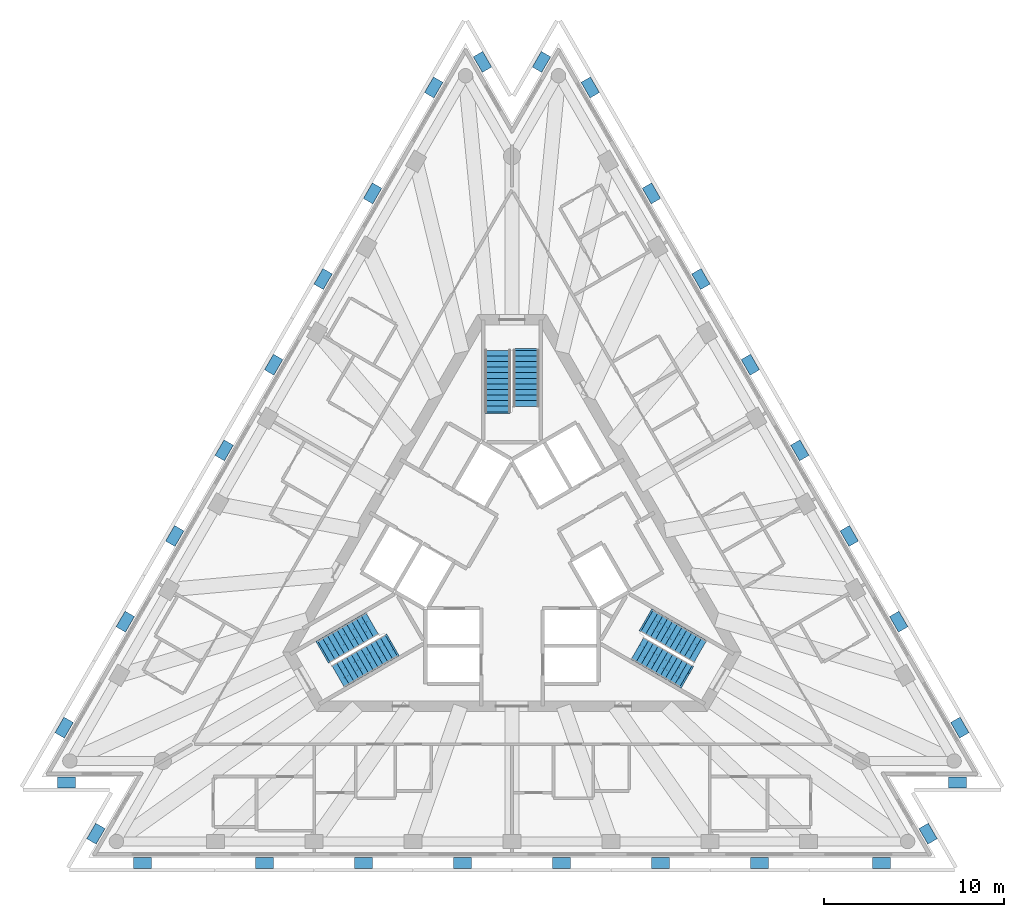
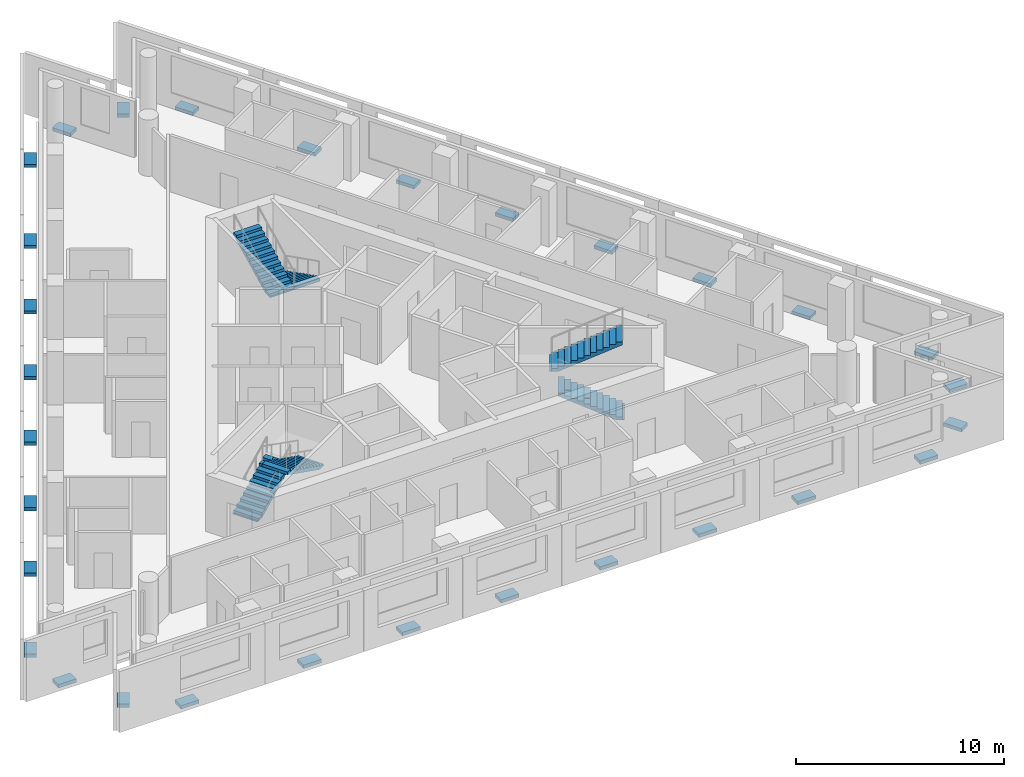
# One storey, part 8 of 9: 30 discrete accessories, 6 stair flights, 3 elements without a shape of their own.
"""IFC4 building model written with IfcOpenShell, lengths in metres."""

from ifc_helpers import new_model, si_unit, direction, frame, origin, origin_2d, place, context, subcontext, project, spatial, polyline, rectangle, outline, extrude, material, type_object, element, aggregate, save


model = new_model("IFC4")

# Units and contexts
model_context = context("Model", 3, precision=1e-05, world=origin(), true_north=direction((0.0, 1.0)))
body_context = subcontext(model_context, "Body", "Model", "MODEL_VIEW")
ifc_project = project(units=[si_unit("LENGTHUNIT", "METRE"), si_unit("AREAUNIT", "SQUARE_METRE"), si_unit("VOLUMEUNIT", "CUBIC_METRE"), si_unit("PLANEANGLEUNIT", "RADIAN"), si_unit("MASSUNIT", "GRAM", prefix="KILO")], contexts=[model_context])

# Site, building, storey
site_placement = place(None, origin())
site = spatial("IfcSite", under=ifc_project, at=site_placement, CompositionType="ELEMENT")
building_placement = place(site_placement, origin())
building = spatial("IfcBuilding", under=site, at=building_placement, Name="Triada Interchange Tower", CompositionType="ELEMENT")
storey_placement = place(building_placement, frame((0.0, 0.0, 279.10009765625)))
storey = spatial("IfcBuildingStorey", under=building, at=storey_placement, Name="L65", CompositionType="ELEMENT", Elevation=279.10009765625)

# Stair, stair flights
ifc_material_1 = material(Name="Concrete C35/45", Category="concrete")
stair_type = type_object("IfcStairType", Name="HALF TURN STAIR 1400", PredefinedType="HALF_TURN_STAIR", material=ifc_material_1)
stair_1_placement = place(storey_placement, origin())
stair_1 = element("IfcStair", 1, at=stair_1_placement, inside=storey, type_object=stair_type, Name="Exit stair S65-1", PredefinedType="HALF_TURN_STAIR")
stair_flight_type = type_object("IfcStairFlightType", Name="STRAIGHT STAIR FLIGHT 1400", PredefinedType="STRAIGHT", material=ifc_material_1)
stair_flight_1_placement = place(storey_placement, frame((0.800048828125, 11.60009765625, 0.0), z_axis=(0.0, 0.0, 1.0), x_axis=(0.0, -1.0, 0.0)))
stair_flight_1 = element("IfcStairFlight", 2, at=stair_flight_1_placement, type_object=stair_flight_type, Name="S65-1 flight 1", NumberOfRisers=11, NumberOfTreads=10, PredefinedType="STRAIGHT", RiserHeight=0.15652, TreadLength=0.31, context=body_context, shape_type="SweptSolid", body=[
    extrude(outline(polyline([(-0.10009765625, 0.0), (-0.10009765625, 0.02001953125), (0.0, 0.02001953125), (0.0, 0.156494140625), (0.31005859375, 0.156494140625), (0.31005859375, 0.31298828125), (0.6201171875, 0.31298828125), (0.6201171875, 0.469482421875), (0.929931640625, 0.469482421875), (0.929931640625, 0.6259765625), (1.239990234375, 0.6259765625), (1.239990234375, 0.78271484375), (1.550048828125, 0.78271484375), (1.550048828125, 0.939208984375), (1.860107421875, 0.939208984375), (1.860107421875, 1.095703125), (2.169921875, 1.095703125), (2.169921875, 1.252197265625), (2.47998046875, 1.252197265625), (2.47998046875, 1.40869140625), (2.7900390625, 1.40869140625), (2.7900390625, 1.565185546875), (3.10009765625, 1.565185546875), (3.10400390625, 1.565185546875), (3.10400390625, 1.7216796875), (3.10400390625, 1.397216796875), (0.33251953125, 0.0), (-0.10009765625, 0.0)])), frame((0.0, 0.699951171875, 0.0), z_axis=(0.0, -1.0, 0.0), x_axis=(1.0, 0.0, 0.0)), (0.0, 0.0, 1.0), 0.46533203125),
    extrude(outline(polyline([(-0.10009765625, 0.0), (-0.10009765625, 0.02001953125), (0.0, 0.02001953125), (0.0, 0.156494140625), (0.31005859375, 0.156494140625), (0.31005859375, 0.31298828125), (0.6201171875, 0.31298828125), (0.6201171875, 0.469482421875), (0.929931640625, 0.469482421875), (0.929931640625, 0.6259765625), (1.239990234375, 0.6259765625), (1.239990234375, 0.78271484375), (1.550048828125, 0.78271484375), (1.550048828125, 0.939208984375), (1.860107421875, 0.939208984375), (1.860107421875, 1.095703125), (2.169921875, 1.095703125), (2.169921875, 1.252197265625), (2.47998046875, 1.252197265625), (2.47998046875, 1.40869140625), (2.7900390625, 1.40869140625), (2.7900390625, 1.565185546875), (3.10009765625, 1.565185546875), (3.10400390625, 1.565185546875), (3.10400390625, 1.7216796875), (3.10400390625, 1.397216796875), (0.33251953125, 0.0), (-0.10009765625, 0.0)])), frame((0.0, 0.232666015625, 0.0), z_axis=(0.0, -1.0, 0.0), x_axis=(1.0, 0.0, 0.0)), (0.0, 0.0, 1.0), 0.46533203125),
    extrude(outline(polyline([(-0.10009765625, 0.0), (-0.10009765625, 0.02001953125), (0.0, 0.02001953125), (0.0, 0.156494140625), (0.31005859375, 0.156494140625), (0.31005859375, 0.31298828125), (0.6201171875, 0.31298828125), (0.6201171875, 0.469482421875), (0.929931640625, 0.469482421875), (0.929931640625, 0.6259765625), (1.239990234375, 0.6259765625), (1.239990234375, 0.78271484375), (1.550048828125, 0.78271484375), (1.550048828125, 0.939208984375), (1.860107421875, 0.939208984375), (1.860107421875, 1.095703125), (2.169921875, 1.095703125), (2.169921875, 1.252197265625), (2.47998046875, 1.252197265625), (2.47998046875, 1.40869140625), (2.7900390625, 1.40869140625), (2.7900390625, 1.565185546875), (3.10009765625, 1.565185546875), (3.10400390625, 1.565185546875), (3.10400390625, 1.7216796875), (3.10400390625, 1.397216796875), (0.33251953125, 0.0), (-0.10009765625, 0.0)])), frame((0.0, -0.234619140625, 0.0), z_axis=(0.0, -1.0, 0.0), x_axis=(1.0, 0.0, 0.0)), (0.0, 0.0, 1.0), 0.46533203125),
])
stair_flight_2_placement = place(storey_placement, frame((-0.800048828125, 8.18994140625, 1.7216796875), z_axis=(0.0, 0.0, 1.0), x_axis=(0.0, 1.0, 0.0)))
stair_flight_2 = element("IfcStairFlight", 3, at=stair_flight_2_placement, type_object=stair_flight_type, Name="S65-1 flight 2", NumberOfRisers=12, NumberOfTreads=11, PredefinedType="STRAIGHT", RiserHeight=0.15652, TreadLength=0.31, context=body_context, shape_type="SweptSolid", body=[
    extrude(outline(polyline([(-0.10009765625, 0.0), (-0.10009765625, 0.02001953125), (0.0, 0.02001953125), (0.0, 0.156494140625), (0.31005859375, 0.156494140625), (0.31005859375, 0.31298828125), (0.6201171875, 0.31298828125), (0.6201171875, 0.469482421875), (0.929931640625, 0.469482421875), (0.929931640625, 0.6259765625), (1.239990234375, 0.6259765625), (1.239990234375, 0.78271484375), (1.550048828125, 0.78271484375), (1.550048828125, 0.939208984375), (1.860107421875, 0.939208984375), (1.860107421875, 1.095703125), (2.169921875, 1.095703125), (2.169921875, 1.252197265625), (2.47998046875, 1.252197265625), (2.47998046875, 1.40869140625), (2.7900390625, 1.40869140625), (2.7900390625, 1.565185546875), (3.10009765625, 1.565185546875), (3.10009765625, 1.7216796875), (3.409912109375, 1.7216796875), (3.4140625, 1.7216796875), (3.4140625, 1.878173828125), (3.4140625, 1.5537109375), (0.33251953125, 0.0), (-0.10009765625, 0.0)])), frame((0.0, 0.699951171875, 0.0), z_axis=(0.0, -1.0, 0.0), x_axis=(1.0, 0.0, 0.0)), (0.0, 0.0, 1.0), 0.46533203125),
    extrude(outline(polyline([(-0.10009765625, 0.0), (-0.10009765625, 0.02001953125), (0.0, 0.02001953125), (0.0, 0.156494140625), (0.31005859375, 0.156494140625), (0.31005859375, 0.31298828125), (0.6201171875, 0.31298828125), (0.6201171875, 0.469482421875), (0.929931640625, 0.469482421875), (0.929931640625, 0.6259765625), (1.239990234375, 0.6259765625), (1.239990234375, 0.78271484375), (1.550048828125, 0.78271484375), (1.550048828125, 0.939208984375), (1.860107421875, 0.939208984375), (1.860107421875, 1.095703125), (2.169921875, 1.095703125), (2.169921875, 1.252197265625), (2.47998046875, 1.252197265625), (2.47998046875, 1.40869140625), (2.7900390625, 1.40869140625), (2.7900390625, 1.565185546875), (3.10009765625, 1.565185546875), (3.10009765625, 1.7216796875), (3.409912109375, 1.7216796875), (3.4140625, 1.7216796875), (3.4140625, 1.878173828125), (3.4140625, 1.5537109375), (0.33251953125, 0.0), (-0.10009765625, 0.0)])), frame((0.0, 0.232666015625, 0.0), z_axis=(0.0, -1.0, 0.0), x_axis=(1.0, 0.0, 0.0)), (0.0, 0.0, 1.0), 0.46533203125),
    extrude(outline(polyline([(-0.10009765625, 0.0), (-0.10009765625, 0.02001953125), (0.0, 0.02001953125), (0.0, 0.156494140625), (0.31005859375, 0.156494140625), (0.31005859375, 0.31298828125), (0.6201171875, 0.31298828125), (0.6201171875, 0.469482421875), (0.929931640625, 0.469482421875), (0.929931640625, 0.6259765625), (1.239990234375, 0.6259765625), (1.239990234375, 0.78271484375), (1.550048828125, 0.78271484375), (1.550048828125, 0.939208984375), (1.860107421875, 0.939208984375), (1.860107421875, 1.095703125), (2.169921875, 1.095703125), (2.169921875, 1.252197265625), (2.47998046875, 1.252197265625), (2.47998046875, 1.40869140625), (2.7900390625, 1.40869140625), (2.7900390625, 1.565185546875), (3.10009765625, 1.565185546875), (3.10009765625, 1.7216796875), (3.409912109375, 1.7216796875), (3.4140625, 1.7216796875), (3.4140625, 1.878173828125), (3.4140625, 1.5537109375), (0.33251953125, 0.0), (-0.10009765625, 0.0)])), frame((0.0, -0.234619140625, 0.0), z_axis=(0.0, -1.0, 0.0), x_axis=(1.0, 0.0, 0.0)), (0.0, 0.0, 1.0), 0.46533203125),
])
aggregate(stair_1, [stair_flight_1, stair_flight_2])

stair_2_placement = place(storey_placement, origin())
stair_2 = element("IfcStair", 4, at=stair_2_placement, inside=storey, type_object=stair_type, Name="Exit stair S65-2", PredefinedType="HALF_TURN_STAIR")
stair_flight_3_placement = place(storey_placement, frame((-10.446044921875, -5.10693359375, 0.0), z_axis=(0.0, 0.0, 1.0), x_axis=(0.866025403784, 0.5, 0.0)))
stair_flight_3 = element("IfcStairFlight", 5, at=stair_flight_3_placement, type_object=stair_flight_type, Name="S65-2 flight 1", NumberOfRisers=11, NumberOfTreads=10, PredefinedType="STRAIGHT", RiserHeight=0.15652, TreadLength=0.31, context=body_context, shape_type="SweptSolid", body=[
    extrude(outline(polyline([(-0.10009765625, 0.0), (-0.10009765625, 0.02001953125), (0.0, 0.02001953125), (0.0, 0.156494140625), (0.31005859375, 0.156494140625), (0.31005859375, 0.31298828125), (0.6201171875, 0.31298828125), (0.6201171875, 0.469482421875), (0.929931640625, 0.469482421875), (0.929931640625, 0.6259765625), (1.239990234375, 0.6259765625), (1.239990234375, 0.78271484375), (1.550048828125, 0.78271484375), (1.550048828125, 0.939208984375), (1.860107421875, 0.939208984375), (1.860107421875, 1.095703125), (2.169921875, 1.095703125), (2.169921875, 1.252197265625), (2.47998046875, 1.252197265625), (2.47998046875, 1.40869140625), (2.7900390625, 1.40869140625), (2.7900390625, 1.565185546875), (3.10009765625, 1.565185546875), (3.10400390625, 1.565185546875), (3.10400390625, 1.7216796875), (3.10400390625, 1.397216796875), (0.33251953125, 0.0), (-0.10009765625, 0.0)])), frame((0.0, 0.699951171875, 0.0), z_axis=(0.0, -1.0, 0.0), x_axis=(1.0, 0.0, 0.0)), (0.0, 0.0, 1.0), 0.46533203125),
    extrude(outline(polyline([(-0.10009765625, 0.0), (-0.10009765625, 0.02001953125), (0.0, 0.02001953125), (0.0, 0.156494140625), (0.31005859375, 0.156494140625), (0.31005859375, 0.31298828125), (0.6201171875, 0.31298828125), (0.6201171875, 0.469482421875), (0.929931640625, 0.469482421875), (0.929931640625, 0.6259765625), (1.239990234375, 0.6259765625), (1.239990234375, 0.78271484375), (1.550048828125, 0.78271484375), (1.550048828125, 0.939208984375), (1.860107421875, 0.939208984375), (1.860107421875, 1.095703125), (2.169921875, 1.095703125), (2.169921875, 1.252197265625), (2.47998046875, 1.252197265625), (2.47998046875, 1.40869140625), (2.7900390625, 1.40869140625), (2.7900390625, 1.565185546875), (3.10009765625, 1.565185546875), (3.10400390625, 1.565185546875), (3.10400390625, 1.7216796875), (3.10400390625, 1.397216796875), (0.33251953125, 0.0), (-0.10009765625, 0.0)])), frame((0.0, 0.232666015625, 0.0), z_axis=(0.0, -1.0, 0.0), x_axis=(1.0, 0.0, 0.0)), (0.0, 0.0, 1.0), 0.46533203125),
    extrude(outline(polyline([(-0.10009765625, 0.0), (-0.10009765625, 0.02001953125), (0.0, 0.02001953125), (0.0, 0.156494140625), (0.31005859375, 0.156494140625), (0.31005859375, 0.31298828125), (0.6201171875, 0.31298828125), (0.6201171875, 0.469482421875), (0.929931640625, 0.469482421875), (0.929931640625, 0.6259765625), (1.239990234375, 0.6259765625), (1.239990234375, 0.78271484375), (1.550048828125, 0.78271484375), (1.550048828125, 0.939208984375), (1.860107421875, 0.939208984375), (1.860107421875, 1.095703125), (2.169921875, 1.095703125), (2.169921875, 1.252197265625), (2.47998046875, 1.252197265625), (2.47998046875, 1.40869140625), (2.7900390625, 1.40869140625), (2.7900390625, 1.565185546875), (3.10009765625, 1.565185546875), (3.10400390625, 1.565185546875), (3.10400390625, 1.7216796875), (3.10400390625, 1.397216796875), (0.33251953125, 0.0), (-0.10009765625, 0.0)])), frame((0.0, -0.234619140625, 0.0), z_axis=(0.0, -1.0, 0.0), x_axis=(1.0, 0.0, 0.0)), (0.0, 0.0, 1.0), 0.46533203125),
])
stair_flight_4_placement = place(storey_placement, frame((-6.693115234375, -4.7880859375, 1.7216796875), z_axis=(0.0, 0.0, 1.0), x_axis=(-0.866025403784, -0.5, 0.0)))
stair_flight_4 = element("IfcStairFlight", 6, at=stair_flight_4_placement, type_object=stair_flight_type, Name="S65-2 flight 2", NumberOfRisers=12, NumberOfTreads=11, PredefinedType="STRAIGHT", RiserHeight=0.15652, TreadLength=0.31, context=body_context, shape_type="SweptSolid", body=[
    extrude(outline(polyline([(-0.10009765625, 0.0), (-0.10009765625, 0.02001953125), (0.0, 0.02001953125), (0.0, 0.156494140625), (0.31005859375, 0.156494140625), (0.31005859375, 0.31298828125), (0.6201171875, 0.31298828125), (0.6201171875, 0.469482421875), (0.929931640625, 0.469482421875), (0.929931640625, 0.6259765625), (1.239990234375, 0.6259765625), (1.239990234375, 0.78271484375), (1.550048828125, 0.78271484375), (1.550048828125, 0.939208984375), (1.860107421875, 0.939208984375), (1.860107421875, 1.095703125), (2.169921875, 1.095703125), (2.169921875, 1.252197265625), (2.47998046875, 1.252197265625), (2.47998046875, 1.40869140625), (2.7900390625, 1.40869140625), (2.7900390625, 1.565185546875), (3.10009765625, 1.565185546875), (3.10009765625, 1.7216796875), (3.409912109375, 1.7216796875), (3.4140625, 1.7216796875), (3.4140625, 1.878173828125), (3.4140625, 1.5537109375), (0.33251953125, 0.0), (-0.10009765625, 0.0)])), frame((0.0, 0.699951171875, 0.0), z_axis=(0.0, -1.0, 0.0), x_axis=(1.0, 0.0, 0.0)), (0.0, 0.0, 1.0), 0.46533203125),
    extrude(outline(polyline([(-0.10009765625, 0.0), (-0.10009765625, 0.02001953125), (0.0, 0.02001953125), (0.0, 0.156494140625), (0.31005859375, 0.156494140625), (0.31005859375, 0.31298828125), (0.6201171875, 0.31298828125), (0.6201171875, 0.469482421875), (0.929931640625, 0.469482421875), (0.929931640625, 0.6259765625), (1.239990234375, 0.6259765625), (1.239990234375, 0.78271484375), (1.550048828125, 0.78271484375), (1.550048828125, 0.939208984375), (1.860107421875, 0.939208984375), (1.860107421875, 1.095703125), (2.169921875, 1.095703125), (2.169921875, 1.252197265625), (2.47998046875, 1.252197265625), (2.47998046875, 1.40869140625), (2.7900390625, 1.40869140625), (2.7900390625, 1.565185546875), (3.10009765625, 1.565185546875), (3.10009765625, 1.7216796875), (3.409912109375, 1.7216796875), (3.4140625, 1.7216796875), (3.4140625, 1.878173828125), (3.4140625, 1.5537109375), (0.33251953125, 0.0), (-0.10009765625, 0.0)])), frame((0.0, 0.232666015625, 0.0), z_axis=(0.0, -1.0, 0.0), x_axis=(1.0, 0.0, 0.0)), (0.0, 0.0, 1.0), 0.46533203125),
    extrude(outline(polyline([(-0.10009765625, 0.0), (-0.10009765625, 0.02001953125), (0.0, 0.02001953125), (0.0, 0.156494140625), (0.31005859375, 0.156494140625), (0.31005859375, 0.31298828125), (0.6201171875, 0.31298828125), (0.6201171875, 0.469482421875), (0.929931640625, 0.469482421875), (0.929931640625, 0.6259765625), (1.239990234375, 0.6259765625), (1.239990234375, 0.78271484375), (1.550048828125, 0.78271484375), (1.550048828125, 0.939208984375), (1.860107421875, 0.939208984375), (1.860107421875, 1.095703125), (2.169921875, 1.095703125), (2.169921875, 1.252197265625), (2.47998046875, 1.252197265625), (2.47998046875, 1.40869140625), (2.7900390625, 1.40869140625), (2.7900390625, 1.565185546875), (3.10009765625, 1.565185546875), (3.10009765625, 1.7216796875), (3.409912109375, 1.7216796875), (3.4140625, 1.7216796875), (3.4140625, 1.878173828125), (3.4140625, 1.5537109375), (0.33251953125, 0.0), (-0.10009765625, 0.0)])), frame((0.0, -0.234619140625, 0.0), z_axis=(0.0, -1.0, 0.0), x_axis=(1.0, 0.0, 0.0)), (0.0, 0.0, 1.0), 0.46533203125),
])
aggregate(stair_2, [stair_flight_3, stair_flight_4])

stair_3_placement = place(storey_placement, origin())
stair_3 = element("IfcStair", 7, at=stair_3_placement, inside=storey, type_object=stair_type, Name="Exit stair S65-3", PredefinedType="HALF_TURN_STAIR")
stair_flight_5_placement = place(storey_placement, frame((9.64599609375, -6.492919921875, 0.0), z_axis=(0.0, 0.0, 1.0), x_axis=(-0.866025403784, 0.5, 0.0)))
stair_flight_5 = element("IfcStairFlight", 8, at=stair_flight_5_placement, type_object=stair_flight_type, Name="S65-3 flight 1", NumberOfRisers=11, NumberOfTreads=10, PredefinedType="STRAIGHT", RiserHeight=0.15652, TreadLength=0.31, context=body_context, shape_type="SweptSolid", body=[
    extrude(outline(polyline([(-0.10009765625, 0.0), (-0.10009765625, 0.02001953125), (0.0, 0.02001953125), (0.0, 0.156494140625), (0.31005859375, 0.156494140625), (0.31005859375, 0.31298828125), (0.6201171875, 0.31298828125), (0.6201171875, 0.469482421875), (0.929931640625, 0.469482421875), (0.929931640625, 0.6259765625), (1.239990234375, 0.6259765625), (1.239990234375, 0.78271484375), (1.550048828125, 0.78271484375), (1.550048828125, 0.939208984375), (1.860107421875, 0.939208984375), (1.860107421875, 1.095703125), (2.169921875, 1.095703125), (2.169921875, 1.252197265625), (2.47998046875, 1.252197265625), (2.47998046875, 1.40869140625), (2.7900390625, 1.40869140625), (2.7900390625, 1.565185546875), (3.10009765625, 1.565185546875), (3.10400390625, 1.565185546875), (3.10400390625, 1.7216796875), (3.10400390625, 1.397216796875), (0.33251953125, 0.0), (-0.10009765625, 0.0)])), frame((0.0, 0.699951171875, 0.0), z_axis=(0.0, -1.0, 0.0), x_axis=(1.0, 0.0, 0.0)), (0.0, 0.0, 1.0), 0.46533203125),
    extrude(outline(polyline([(-0.10009765625, 0.0), (-0.10009765625, 0.02001953125), (0.0, 0.02001953125), (0.0, 0.156494140625), (0.31005859375, 0.156494140625), (0.31005859375, 0.31298828125), (0.6201171875, 0.31298828125), (0.6201171875, 0.469482421875), (0.929931640625, 0.469482421875), (0.929931640625, 0.6259765625), (1.239990234375, 0.6259765625), (1.239990234375, 0.78271484375), (1.550048828125, 0.78271484375), (1.550048828125, 0.939208984375), (1.860107421875, 0.939208984375), (1.860107421875, 1.095703125), (2.169921875, 1.095703125), (2.169921875, 1.252197265625), (2.47998046875, 1.252197265625), (2.47998046875, 1.40869140625), (2.7900390625, 1.40869140625), (2.7900390625, 1.565185546875), (3.10009765625, 1.565185546875), (3.10400390625, 1.565185546875), (3.10400390625, 1.7216796875), (3.10400390625, 1.397216796875), (0.33251953125, 0.0), (-0.10009765625, 0.0)])), frame((0.0, 0.232666015625, 0.0), z_axis=(0.0, -1.0, 0.0), x_axis=(1.0, 0.0, 0.0)), (0.0, 0.0, 1.0), 0.46533203125),
    extrude(outline(polyline([(-0.10009765625, 0.0), (-0.10009765625, 0.02001953125), (0.0, 0.02001953125), (0.0, 0.156494140625), (0.31005859375, 0.156494140625), (0.31005859375, 0.31298828125), (0.6201171875, 0.31298828125), (0.6201171875, 0.469482421875), (0.929931640625, 0.469482421875), (0.929931640625, 0.6259765625), (1.239990234375, 0.6259765625), (1.239990234375, 0.78271484375), (1.550048828125, 0.78271484375), (1.550048828125, 0.939208984375), (1.860107421875, 0.939208984375), (1.860107421875, 1.095703125), (2.169921875, 1.095703125), (2.169921875, 1.252197265625), (2.47998046875, 1.252197265625), (2.47998046875, 1.40869140625), (2.7900390625, 1.40869140625), (2.7900390625, 1.565185546875), (3.10009765625, 1.565185546875), (3.10400390625, 1.565185546875), (3.10400390625, 1.7216796875), (3.10400390625, 1.397216796875), (0.33251953125, 0.0), (-0.10009765625, 0.0)])), frame((0.0, -0.234619140625, 0.0), z_axis=(0.0, -1.0, 0.0), x_axis=(1.0, 0.0, 0.0)), (0.0, 0.0, 1.0), 0.46533203125),
])
stair_flight_6_placement = place(storey_placement, frame((7.492919921875, -3.402099609375, 1.7216796875), z_axis=(0.0, 0.0, 1.0), x_axis=(0.866025403784, -0.5, 0.0)))
stair_flight_6 = element("IfcStairFlight", 9, at=stair_flight_6_placement, type_object=stair_flight_type, Name="S65-3 flight 2", NumberOfRisers=12, NumberOfTreads=11, PredefinedType="STRAIGHT", RiserHeight=0.15652, TreadLength=0.31, context=body_context, shape_type="SweptSolid", body=[
    extrude(outline(polyline([(-0.10009765625, 0.0), (-0.10009765625, 0.02001953125), (0.0, 0.02001953125), (0.0, 0.156494140625), (0.31005859375, 0.156494140625), (0.31005859375, 0.31298828125), (0.6201171875, 0.31298828125), (0.6201171875, 0.469482421875), (0.929931640625, 0.469482421875), (0.929931640625, 0.6259765625), (1.239990234375, 0.6259765625), (1.239990234375, 0.78271484375), (1.550048828125, 0.78271484375), (1.550048828125, 0.939208984375), (1.860107421875, 0.939208984375), (1.860107421875, 1.095703125), (2.169921875, 1.095703125), (2.169921875, 1.252197265625), (2.47998046875, 1.252197265625), (2.47998046875, 1.40869140625), (2.7900390625, 1.40869140625), (2.7900390625, 1.565185546875), (3.10009765625, 1.565185546875), (3.10009765625, 1.7216796875), (3.409912109375, 1.7216796875), (3.4140625, 1.7216796875), (3.4140625, 1.878173828125), (3.4140625, 1.5537109375), (0.33251953125, 0.0), (-0.10009765625, 0.0)])), frame((0.0, 0.699951171875, 0.0), z_axis=(0.0, -1.0, 0.0), x_axis=(1.0, 0.0, 0.0)), (0.0, 0.0, 1.0), 0.46533203125),
    extrude(outline(polyline([(-0.10009765625, 0.0), (-0.10009765625, 0.02001953125), (0.0, 0.02001953125), (0.0, 0.156494140625), (0.31005859375, 0.156494140625), (0.31005859375, 0.31298828125), (0.6201171875, 0.31298828125), (0.6201171875, 0.469482421875), (0.929931640625, 0.469482421875), (0.929931640625, 0.6259765625), (1.239990234375, 0.6259765625), (1.239990234375, 0.78271484375), (1.550048828125, 0.78271484375), (1.550048828125, 0.939208984375), (1.860107421875, 0.939208984375), (1.860107421875, 1.095703125), (2.169921875, 1.095703125), (2.169921875, 1.252197265625), (2.47998046875, 1.252197265625), (2.47998046875, 1.40869140625), (2.7900390625, 1.40869140625), (2.7900390625, 1.565185546875), (3.10009765625, 1.565185546875), (3.10009765625, 1.7216796875), (3.409912109375, 1.7216796875), (3.4140625, 1.7216796875), (3.4140625, 1.878173828125), (3.4140625, 1.5537109375), (0.33251953125, 0.0), (-0.10009765625, 0.0)])), frame((0.0, 0.232666015625, 0.0), z_axis=(0.0, -1.0, 0.0), x_axis=(1.0, 0.0, 0.0)), (0.0, 0.0, 1.0), 0.46533203125),
    extrude(outline(polyline([(-0.10009765625, 0.0), (-0.10009765625, 0.02001953125), (0.0, 0.02001953125), (0.0, 0.156494140625), (0.31005859375, 0.156494140625), (0.31005859375, 0.31298828125), (0.6201171875, 0.31298828125), (0.6201171875, 0.469482421875), (0.929931640625, 0.469482421875), (0.929931640625, 0.6259765625), (1.239990234375, 0.6259765625), (1.239990234375, 0.78271484375), (1.550048828125, 0.78271484375), (1.550048828125, 0.939208984375), (1.860107421875, 0.939208984375), (1.860107421875, 1.095703125), (2.169921875, 1.095703125), (2.169921875, 1.252197265625), (2.47998046875, 1.252197265625), (2.47998046875, 1.40869140625), (2.7900390625, 1.40869140625), (2.7900390625, 1.565185546875), (3.10009765625, 1.565185546875), (3.10009765625, 1.7216796875), (3.409912109375, 1.7216796875), (3.4140625, 1.7216796875), (3.4140625, 1.878173828125), (3.4140625, 1.5537109375), (0.33251953125, 0.0), (-0.10009765625, 0.0)])), frame((0.0, -0.234619140625, 0.0), z_axis=(0.0, -1.0, 0.0), x_axis=(1.0, 0.0, 0.0)), (0.0, 0.0, 1.0), 0.46533203125),
])
aggregate(stair_3, [stair_flight_5, stair_flight_6])

# Discrete accessories
ifc_material_2 = material(Name="Steel S355", Category="steel")
discrete_accessory_type = type_object("IfcDiscreteAccessoryType", Name="Steel bracket outer skin", PredefinedType="BRACKET", material=ifc_material_2)
for number, where, z_axis, x_axis, name in (
    (10, (-4.343017578125, 26.18701171875, -0.27001953125), (0.0, 0.0, 1.0), (-0.866024094785, 0.500002267247, 0.0), "Bracket L65 01"),
    (11, (-7.736083984375, 20.30908203125, -0.27001953125), (0.0, 0.0, 1.0), (-0.866024094785, 0.500002267247, 0.0), "Bracket L65 02"),
    (12, (-10.47998046875, 15.555908203125, -0.27001953125), (0.0, 0.0, 1.0), (-0.866024094785, 0.500002267247, 0.0), "Bracket L65 03"),
    (13, (-13.22412109375, 10.802978515625, -0.27001953125), (0.0, 0.0, 1.0), (-0.866024094785, 0.500002267247, 0.0), "Bracket L65 04"),
    (14, (-15.968017578125, 6.051025390625, -0.27001953125), (0.0, 0.0, 1.0), (-0.866024094785, 0.500002267247, 0.0), "Bracket L65 05"),
    (15, (-18.7119140625, 1.298095703125, -0.27001953125), (0.0, 0.0, 1.0), (-0.866024094785, 0.500002267247, 0.0), "Bracket L65 06"),
    (16, (-21.4560546875, -3.455078125, -0.27001953125), (0.0, 0.0, 1.0), (-0.866024094785, 0.500002267247, 0.0), "Bracket L65 07"),
    (17, (-24.85009765625, -9.3330078125, -0.27001953125), (0.0, 0.0, 1.0), (-0.866024094785, 0.500002267247, 0.0), "Bracket L65 08"),
    (18, (-24.72412109375, -12.384033203125, -0.27001953125), (0.0, 0.0, 1.0), (0.0, -1.0, 0.0), "Bracket L65 09"),
    (19, (-23.0869140625, -15.218994140625, -0.27001953125), (0.0, 0.0, 1.0), (-0.866088795907, 0.499890185544, 0.0), "Bracket L65 10"),
    (20, (-20.507080078125, -16.85400390625, -0.27001953125), (0.0, 0.0, 1.0), (0.0, -1.0, 0.0), "Bracket L65 11"),
    (21, (-13.719970703125, -16.85400390625, -0.27001953125), (0.0, 0.0, 1.0), (0.0, -1.0, 0.0), "Bracket L65 12"),
    (22, (-8.23193359375, -16.85400390625, -0.27001953125), (0.0, 0.0, 1.0), (0.0, -1.0, 0.0), "Bracket L65 13"),
    (23, (-2.743896484375, -16.85400390625, -0.27001953125), (0.0, 0.0, 1.0), (0.0, -1.0, 0.0), "Bracket L65 14"),
    (24, (2.743896484375, -16.85400390625, -0.27001953125), (0.0, 0.0, 1.0), (0.0, -1.0, 0.0), "Bracket L65 15"),
    (25, (8.23193359375, -16.85400390625, -0.27001953125), (0.0, 0.0, 1.0), (0.0, -1.0, 0.0), "Bracket L65 16"),
    (26, (13.719970703125, -16.85400390625, -0.27001953125), (0.0, 0.0, 1.0), (0.0, -1.0, 0.0), "Bracket L65 17"),
    (27, (20.507080078125, -16.85400390625, -0.27001953125), (0.0, 0.0, 1.0), (0.0, -1.0, 0.0), "Bracket L65 18"),
    (28, (23.0869140625, -15.218994140625, -0.27001953125), (0.0, 0.0, 1.0), (0.866088795907, 0.499890185544, 0.0), "Bracket L65 19"),
    (29, (24.72412109375, -12.384033203125, -0.27001953125), (0.0, 0.0, 1.0), (0.0, -1.0, 0.0), "Bracket L65 20"),
    (30, (24.85009765625, -9.3330078125, -0.27001953125), (0.0, 0.0, 1.0), (0.866024094785, 0.500002267247, 0.0), "Bracket L65 21"),
    (31, (21.4560546875, -3.455078125, -0.27001953125), (0.0, 0.0, 1.0), (0.866024094785, 0.500002267247, 0.0), "Bracket L65 22"),
    (32, (18.7119140625, 1.298095703125, -0.27001953125), (0.0, 0.0, 1.0), (0.866024094785, 0.500002267247, 0.0), "Bracket L65 23"),
    (33, (15.968017578125, 6.051025390625, -0.27001953125), (0.0, 0.0, 1.0), (0.866024094785, 0.500002267247, 0.0), "Bracket L65 24"),
    (34, (13.22412109375, 10.802978515625, -0.27001953125), (0.0, 0.0, 1.0), (0.866024094785, 0.500002267247, 0.0), "Bracket L65 25"),
    (35, (10.47998046875, 15.555908203125, -0.27001953125), (0.0, 0.0, 1.0), (0.866024094785, 0.500002267247, 0.0), "Bracket L65 26"),
    (36, (7.736083984375, 20.30908203125, -0.27001953125), (0.0, 0.0, 1.0), (0.866024094785, 0.500002267247, 0.0), "Bracket L65 27"),
    (37, (4.343017578125, 26.18701171875, -0.27001953125), (0.0, 0.0, 1.0), (0.866024094785, 0.500002267247, 0.0), "Bracket L65 28"),
    (38, (1.636962890625, 27.60302734375, -0.27001953125), (0.0, 0.0, 1.0), (-0.865956455047, 0.500119403705, 0.0), "Bracket L65 29"),
    (39, (-1.636962890625, 27.60302734375, -0.27001953125), (0.0, 0.0, 1.0), (0.865956455047, 0.500119403705, 0.0), "Bracket L65 30"),
):
    element("IfcDiscreteAccessory", number, at=place(storey_placement, frame(where, z_axis=z_axis, x_axis=x_axis)), inside=storey, type_object=discrete_accessory_type, Name=name, PredefinedType="BRACKET", context=body_context, shape_type="SweptSolid", body=[
        extrude(rectangle(XDim=0.60009765625, YDim=1.0, at=origin_2d()), origin(), (0.0, 0.0, 1.0), 0.199951171875),
    ])

save(model, "model.ifc")
